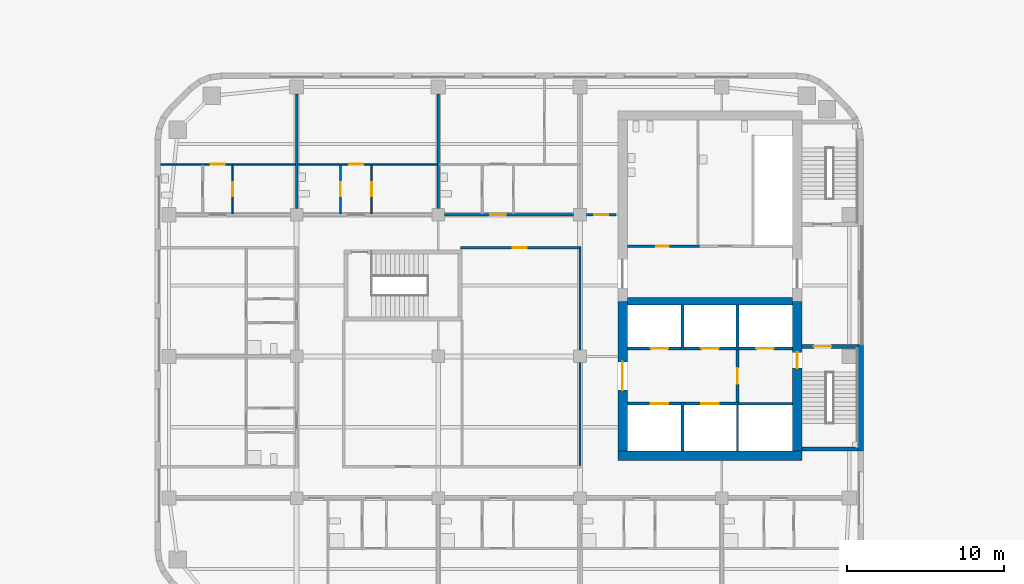
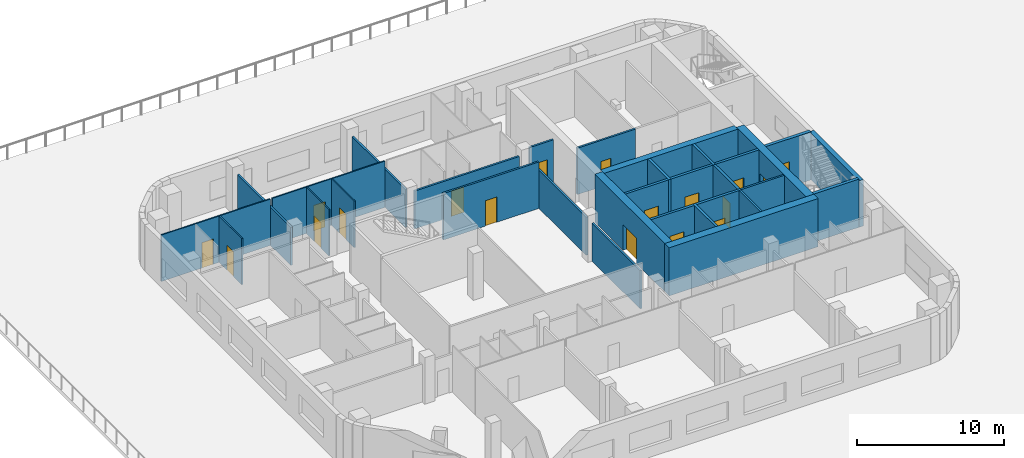
# One storey, part 7 of 18: 31 walls, 18 doors, 18 openings.
"""IFC4 building model written with IfcOpenShell, lengths in metres."""

from ifc_helpers import new_model, si_unit, direction, frame, frame_2d, origin, place, context, subcontext, project, spatial, rectangle, extrude, material, layer, layer_set, type_object, element, fill, save


model = new_model("IFC4")

# Units and contexts
model_context = context("Model", 3, precision=1e-05, world=origin(), true_north=direction((0.0, 1.0)))
body_context = subcontext(model_context, "Body", "Model", "MODEL_VIEW")
ifc_project = project(units=[si_unit("LENGTHUNIT", "METRE"), si_unit("AREAUNIT", "SQUARE_METRE"), si_unit("VOLUMEUNIT", "CUBIC_METRE"), si_unit("PLANEANGLEUNIT", "RADIAN"), si_unit("MASSUNIT", "GRAM", prefix="KILO")], contexts=[model_context])

# Site, building, storey
site_placement = place(None, origin())
site = spatial("IfcSite", under=ifc_project, at=site_placement, CompositionType="ELEMENT")
building_placement = place(site_placement, origin())
building = spatial("IfcBuilding", under=site, at=building_placement, Name="Cinnabar Reach Civic Tower", CompositionType="ELEMENT")
storey_placement = place(building_placement, frame((0.0, 0.0, 26.0)))
storey = spatial("IfcBuildingStorey", under=building, at=storey_placement, Name="L05", CompositionType="ELEMENT", Elevation=26.0)

# Walls
ifc_material_1 = material(Name="Facing brick with insulated backing", Category="masonry")
ifc_layer_1 = layer(ifc_material_1, 0.36)
ifc_layer_set_1 = layer_set([ifc_layer_1], Name="Brick pier and spandrel wall")
wall_type_1 = type_object("IfcWallType", Name="Brick pier and spandrel wall", PredefinedType="STANDARD", material=ifc_layer_set_1)
wall_1_placement = place(storey_placement, frame((-27.18, 21.0, 0.0), z_axis=(0.0, 0.0, 1.0), x_axis=(0.0, 1.0, 0.0)))
element("IfcWall", 1, at=wall_1_placement, inside=storey, type_object=wall_type_1, Name="Brick facade wall", PredefinedType="STANDARD", context=body_context, shape_type="SweptSolid", body=[
    extrude(rectangle(XDim=6.75, YDim=0.36, at=frame_2d((3.375, 0.0))), origin(), (0.0, 0.0, 1.0), 3.85),
])
ifc_material_2 = material(Name="Concrete C60", Category="concrete")
ifc_layer_2 = layer(ifc_material_2, 0.5)
ifc_layer_set_2 = layer_set([ifc_layer_2], Name="Core wall 500 EI 180")
wall_type_2 = type_object("IfcWallType", Name="Core wall 500 EI 180", PredefinedType="SOLIDWALL", material=ifc_layer_set_2)
wall_2_placement = place(storey_placement, frame((-42.0, 30.5, 0.0), z_axis=(0.0, 0.0, 1.0), x_axis=(1.0, 0.0, 0.0)))
element("IfcWall", 2, at=wall_2_placement, inside=storey, type_object=wall_type_2, Name="Core spine wall T2 L05", PredefinedType="SOLIDWALL", context=body_context, shape_type="SweptSolid", body=[
    extrude(rectangle(XDim=10.5, YDim=0.5, at=frame_2d((5.25, 0.0))), origin(), (0.0, 0.0, 1.0), 4.0),
])
ifc_material_3 = material(Name="Concrete C70", Category="concrete")
ifc_layer_3 = layer(ifc_material_3, 0.6)
ifc_layer_set_3 = layer_set([ifc_layer_3], Name="Core wall 600 EI 180")
wall_type_3 = type_object("IfcWallType", Name="Core wall 600 EI 180", PredefinedType="SOLIDWALL", material=ifc_layer_set_3)
wall_3_placement = place(storey_placement, frame((-42.6, 20.7, 0.0), z_axis=(0.0, 0.0, 1.0), x_axis=(1.0, 0.0, 0.0)))
element("IfcWall", 3, at=wall_3_placement, inside=storey, type_object=wall_type_3, Name="Core wall T2 L05 S", PredefinedType="SOLIDWALL", context=body_context, shape_type="SweptSolid", body=[
    extrude(rectangle(XDim=11.7, YDim=0.6, at=frame_2d((5.85, 0.0))), origin(), (0.0, 0.0, 1.0), 4.0),
])

# Wall, opening, door
wall_4_placement = place(storey_placement, frame((-31.2, 21.0, 0.0), z_axis=(0.0, 0.0, 1.0), x_axis=(0.0, 1.0, 0.0)))
wall_4 = element("IfcWall", 4, at=wall_4_placement, inside=storey, type_object=wall_type_3, Name="Core wall T2 L05 E", PredefinedType="SOLIDWALL", context=body_context, shape_type="SweptSolid", body=[
    extrude(rectangle(XDim=9.5, YDim=0.6, at=frame_2d((4.75, 0.0))), origin(), (0.0, 0.0, 1.0), 4.0),
])
opening_1_placement = place(wall_4_placement, frame((5.25, 0.0, 0.0)))
opening_1 = element("IfcOpeningElement", 5, at=opening_1_placement, cuts=wall_4, Name="Opening D6097", PredefinedType="OPENING", context=body_context, shape_type="SweptSolid", body=[
    extrude(rectangle(XDim=1.0, YDim=2.1, at=frame_2d((0.5, 1.05))), frame((0.0, 0.31, 0.0), z_axis=(0.0, -1.0, 0.0), x_axis=(1.0, 0.0, 0.0)), (0.0, 0.0, 1.0), 0.62),
])
ifc_material_4 = material(Name="Steel fire door", Category="steel")
door_type_1 = type_object("IfcDoorType", Name="T2 Firefighting lobby door 1000", OperationType="SINGLE_SWING_LEFT", PredefinedType="DOOR", material=ifc_material_4)
door_1_placement = place(opening_1_placement, frame((1.0, 0.0, 0.0), z_axis=(0.0, 0.0, 1.0), x_axis=(-1.0, 0.0, 0.0)))
door_1 = element("IfcDoor", 6, at=door_1_placement, inside=storey, type_object=door_type_1, Name="T2 Firefighting lobby door D6097", OperationType="SINGLE_SWING_LEFT", OverallHeight=2.1, OverallWidth=1.0, PredefinedType="DOOR", context=body_context, shape_type="SweptSolid", body=[
    extrude(rectangle(XDim=1.0, YDim=2.1, at=frame_2d((0.5, 1.05))), frame((0.0, 0.025, 0.0), z_axis=(0.0, -1.0, 0.0), x_axis=(1.0, 0.0, 0.0)), (0.0, 0.0, 1.0), 0.05),
])
fill(opening_1, door_1)

wall_5_placement = place(storey_placement, frame((-42.3, 30.5, 0.0), z_axis=(0.0, 0.0, 1.0), x_axis=(0.0, -1.0, 0.0)))
wall_5 = element("IfcWall", 7, at=wall_5_placement, inside=storey, type_object=wall_type_3, Name="Core wall T2 L05 W2", PredefinedType="SOLIDWALL", context=body_context, shape_type="SweptSolid", body=[
    extrude(rectangle(XDim=9.5, YDim=0.6, at=frame_2d((4.75, 0.0))), origin(), (0.0, 0.0, 1.0), 4.0),
])
opening_2_placement = place(wall_5_placement, frame((3.85, 0.0, 0.0)))
opening_2 = element("IfcOpeningElement", 8, at=opening_2_placement, cuts=wall_5, Name="Opening D6101", PredefinedType="OPENING", context=body_context, shape_type="SweptSolid", body=[
    extrude(rectangle(XDim=1.8, YDim=2.1, at=frame_2d((0.9, 1.05))), frame((0.0, 0.31, 0.0), z_axis=(0.0, -1.0, 0.0), x_axis=(1.0, 0.0, 0.0)), (0.0, 0.0, 1.0), 0.62),
])
door_type_2 = type_object("IfcDoorType", Name="T2 Double door 1800", OperationType="DOUBLE_DOOR_SINGLE_SWING", PredefinedType="DOOR", material=ifc_material_4)
door_2_placement = place(opening_2_placement, origin())
door_2 = element("IfcDoor", 9, at=door_2_placement, inside=storey, type_object=door_type_2, Name="T2 Double door D6101", OperationType="DOUBLE_DOOR_SINGLE_SWING", OverallHeight=2.1, OverallWidth=1.8, PredefinedType="DOOR", context=body_context, shape_type="SweptSolid", body=[
    extrude(rectangle(XDim=1.8, YDim=2.1, at=frame_2d((0.9, 1.05))), frame((0.0, 0.025, 0.0), z_axis=(0.0, -1.0, 0.0), x_axis=(1.0, 0.0, 0.0)), (0.0, 0.0, 1.0), 0.05),
])
fill(opening_2, door_2)

ifc_material_5 = material(Name="Gypsum board on steel studs, double layer", Category="steel")
ifc_layer_4 = layer(ifc_material_5, 0.15)
ifc_layer_set_4 = layer_set([ifc_layer_4], Name="Corridor wall 150 T2")
wall_type_4 = type_object("IfcWallType", Name="Corridor wall 150 T2", PredefinedType="PARTITIONING", material=ifc_layer_set_4)
wall_6_placement = place(storey_placement, frame((-44.6, 36.0, 0.0), z_axis=(0.0, 0.0, 1.0), x_axis=(1.0, 0.0, 0.0)))
wall_6 = element("IfcWall", 10, at=wall_6_placement, inside=storey, type_object=wall_type_4, Name="Corridor wall 6", PredefinedType="PARTITIONING", context=body_context, shape_type="SweptSolid", body=[
    extrude(rectangle(XDim=1.875, YDim=0.15, at=frame_2d((0.9375, 0.0))), origin(), (0.0, 0.0, 1.0), 3.602),
])
opening_3_placement = place(wall_6_placement, frame((0.5, 0.0, 0.0)))
opening_3 = element("IfcOpeningElement", 11, at=opening_3_placement, cuts=wall_6, Name="Opening D6105", PredefinedType="OPENING", context=body_context, shape_type="SweptSolid", body=[
    extrude(rectangle(XDim=0.9, YDim=2.1, at=frame_2d((0.45, 1.05))), frame((0.0, 0.085, 0.0), z_axis=(0.0, -1.0, 0.0), x_axis=(1.0, 0.0, 0.0)), (0.0, 0.0, 1.0), 0.17),
])
ifc_material_6 = material(Name="Timber door leaf in steel frame", Category="steel")
door_type_3 = type_object("IfcDoorType", Name="Single swing door 900 x 2100 T2", OperationType="SINGLE_SWING_LEFT", PredefinedType="DOOR", material=ifc_material_6)
door_3_placement = place(opening_3_placement, origin())
door_3 = element("IfcDoor", 12, at=door_3_placement, inside=storey, type_object=door_type_3, Name="Door D6105", OperationType="SINGLE_SWING_LEFT", OverallHeight=2.1, OverallWidth=0.9, PredefinedType="DOOR", context=body_context, shape_type="SweptSolid", body=[
    extrude(rectangle(XDim=0.9, YDim=2.1, at=frame_2d((0.45, 1.05))), frame((0.0, 0.025, 0.0), z_axis=(0.0, -1.0, 0.0), x_axis=(1.0, 0.0, 0.0)), (0.0, 0.0, 1.0), 0.05),
])
fill(opening_3, door_3)

wall_7_placement = place(storey_placement, frame((-53.6, 36.0, 0.0), z_axis=(0.0, 0.0, 1.0), x_axis=(1.0, 0.0, 0.0)))
wall_7 = element("IfcWall", 13, at=wall_7_placement, inside=storey, type_object=wall_type_4, Name="Corridor wall 7", PredefinedType="PARTITIONING", context=body_context, shape_type="SweptSolid", body=[
    extrude(rectangle(XDim=8.2, YDim=0.15, at=frame_2d((4.1, 0.0))), origin(), (0.0, 0.0, 1.0), 3.15),
])
opening_4_placement = place(wall_7_placement, frame((2.89, 0.0, 0.0)))
opening_4 = element("IfcOpeningElement", 14, at=opening_4_placement, cuts=wall_7, Name="Opening D6135", PredefinedType="OPENING", context=body_context, shape_type="SweptSolid", body=[
    extrude(rectangle(XDim=1.0, YDim=2.1, at=frame_2d((0.5, 1.05))), frame((0.0, 0.085, 0.0), z_axis=(0.0, -1.0, 0.0), x_axis=(1.0, 0.0, 0.0)), (0.0, 0.0, 1.0), 0.17),
])
door_type_4 = type_object("IfcDoorType", Name="Tenancy entrance door 1000 x 2100 T2", OperationType="SINGLE_SWING_LEFT", PredefinedType="DOOR", material=ifc_material_6)
door_4_placement = place(opening_4_placement, origin())
door_4 = element("IfcDoor", 15, at=door_4_placement, inside=storey, type_object=door_type_4, Name="Door D6135", OperationType="SINGLE_SWING_RIGHT", OverallHeight=2.1, OverallWidth=1.0, PredefinedType="DOOR", context=body_context, shape_type="SweptSolid", body=[
    extrude(rectangle(XDim=1.0, YDim=2.1, at=frame_2d((0.5, 1.05))), frame((0.0, 0.025, 0.0), z_axis=(0.0, -1.0, 0.0), x_axis=(1.0, 0.0, 0.0)), (0.0, 0.0, 1.0), 0.05),
])
fill(opening_4, door_4)

# Walls
wall_8_placement = place(storey_placement, frame((-45.0, 20.075, 0.0), z_axis=(0.0, 0.0, 1.0), x_axis=(0.0, 1.0, 0.0)))
element("IfcWall", 16, at=wall_8_placement, inside=storey, type_object=wall_type_4, Name="Corridor wall 13", PredefinedType="PARTITIONING", context=body_context, shape_type="SweptSolid", body=[
    extrude(rectangle(XDim=6.525, YDim=0.15, at=frame_2d((3.2625, 0.0))), origin(), (0.0, 0.0, 1.0), 3.158),
])
wall_9_placement = place(storey_placement, frame((-45.0, 27.4, 0.0), z_axis=(0.0, 0.0, 1.0), x_axis=(0.0, 1.0, 0.0)))
element("IfcWall", 17, at=wall_9_placement, inside=storey, type_object=wall_type_4, Name="Corridor wall 14", PredefinedType="PARTITIONING", context=body_context, shape_type="SweptSolid", body=[
    extrude(rectangle(XDim=6.575, YDim=0.15, at=frame_2d((3.2875, 0.0))), origin(), (0.0, 0.0, 1.0), 3.158),
])

# Wall, opening, door
wall_10_placement = place(storey_placement, frame((-52.575, 33.9, 0.0), z_axis=(0.0, 0.0, 1.0), x_axis=(1.0, 0.0, 0.0)))
wall_10 = element("IfcWall", 18, at=wall_10_placement, inside=storey, type_object=wall_type_4, Name="Corridor wall 18", PredefinedType="PARTITIONING", context=body_context, shape_type="SweptSolid", body=[
    extrude(rectangle(XDim=7.5, YDim=0.15, at=frame_2d((3.75, 0.0))), origin(), (0.0, 0.0, 1.0), 3.85),
])
opening_5_placement = place(wall_10_placement, frame((3.3, 0.0, 0.0)))
opening_5 = element("IfcOpeningElement", 19, at=opening_5_placement, cuts=wall_10, Name="Opening D6145", PredefinedType="OPENING", context=body_context, shape_type="SweptSolid", body=[
    extrude(rectangle(XDim=0.9, YDim=2.1, at=frame_2d((0.45, 1.05))), frame((0.0, 0.085, 0.0), z_axis=(0.0, -1.0, 0.0), x_axis=(1.0, 0.0, 0.0)), (0.0, 0.0, 1.0), 0.17),
])
door_5_placement = place(opening_5_placement, frame((0.9, 0.0, 0.0), z_axis=(0.0, 0.0, 1.0), x_axis=(-1.0, 0.0, 0.0)))
door_5 = element("IfcDoor", 20, at=door_5_placement, inside=storey, type_object=door_type_3, Name="Door D6145", OperationType="SINGLE_SWING_RIGHT", OverallHeight=2.1, OverallWidth=0.9, PredefinedType="DOOR", context=body_context, shape_type="SweptSolid", body=[
    extrude(rectangle(XDim=0.9, YDim=2.1, at=frame_2d((0.45, 1.05))), frame((0.0, 0.025, 0.0), z_axis=(0.0, -1.0, 0.0), x_axis=(1.0, 0.0, 0.0)), (0.0, 0.0, 1.0), 0.05),
])
fill(opening_5, door_5)

ifc_material_7 = material(Name="Gypsum board on steel studs", Category="steel")
ifc_layer_5 = layer(ifc_material_7, 0.1)
ifc_layer_set_5 = layer_set([ifc_layer_5], Name="Partition wall 100 T2")
wall_type_5 = type_object("IfcWallType", Name="Partition wall 100 T2", PredefinedType="PARTITIONING", material=ifc_layer_set_5)
wall_11_placement = place(storey_placement, frame((-62.925, 39.2, 0.0), z_axis=(0.0, 0.0, 1.0), x_axis=(1.0, 0.0, 0.0)))
wall_11 = element("IfcWall", 21, at=wall_11_placement, inside=storey, type_object=wall_type_5, Name="Partition wall 33", PredefinedType="PARTITIONING", context=body_context, shape_type="SweptSolid", body=[
    extrude(rectangle(XDim=8.85, YDim=0.1, at=frame_2d((4.425, 0.0))), origin(), (0.0, 0.0, 1.0), 3.85),
])
opening_6_placement = place(wall_11_placement, frame((3.265, 0.0, 0.0)))
opening_6 = element("IfcOpeningElement", 22, at=opening_6_placement, cuts=wall_11, Name="Opening D6129", PredefinedType="OPENING", context=body_context, shape_type="SweptSolid", body=[
    extrude(rectangle(XDim=0.9, YDim=2.1, at=frame_2d((0.45, 1.05))), frame((0.0, 0.06, 0.0), z_axis=(0.0, -1.0, 0.0), x_axis=(1.0, 0.0, 0.0)), (0.0, 0.0, 1.0), 0.12),
])
door_6_placement = place(opening_6_placement, frame((0.9, 0.0, 0.0), z_axis=(0.0, 0.0, 1.0), x_axis=(-1.0, 0.0, 0.0)))
door_6 = element("IfcDoor", 23, at=door_6_placement, inside=storey, type_object=door_type_3, Name="Door D6129", OperationType="SINGLE_SWING_LEFT", OverallHeight=2.1, OverallWidth=0.9, PredefinedType="DOOR", context=body_context, shape_type="SweptSolid", body=[
    extrude(rectangle(XDim=0.9, YDim=2.1, at=frame_2d((0.45, 1.05))), frame((0.0, 0.025, 0.0), z_axis=(0.0, -1.0, 0.0), x_axis=(1.0, 0.0, 0.0)), (0.0, 0.0, 1.0), 0.05),
])
fill(opening_6, door_6)

wall_12_placement = place(storey_placement, frame((-71.64, 39.2, 0.0), z_axis=(0.0, 0.0, 1.0), x_axis=(1.0, 0.0, 0.0)))
wall_12 = element("IfcWall", 24, at=wall_12_placement, inside=storey, type_object=wall_type_5, Name="Partition wall 34", PredefinedType="PARTITIONING", context=body_context, shape_type="SweptSolid", body=[
    extrude(rectangle(XDim=8.565, YDim=0.1, at=frame_2d((4.2825, 0.0))), origin(), (0.0, 0.0, 1.0), 3.85),
])
opening_7_placement = place(wall_12_placement, frame((3.1784, 0.0, 0.0)))
opening_7 = element("IfcOpeningElement", 25, at=opening_7_placement, cuts=wall_12, Name="Opening D6125", PredefinedType="OPENING", context=body_context, shape_type="SweptSolid", body=[
    extrude(rectangle(XDim=0.9, YDim=2.1, at=frame_2d((0.45, 1.05))), frame((0.0, 0.06, 0.0), z_axis=(0.0, -1.0, 0.0), x_axis=(1.0, 0.0, 0.0)), (0.0, 0.0, 1.0), 0.12),
])
door_7_placement = place(opening_7_placement, frame((0.9, 0.0, 0.0), z_axis=(0.0, 0.0, 1.0), x_axis=(-1.0, 0.0, 0.0)))
door_7 = element("IfcDoor", 26, at=door_7_placement, inside=storey, type_object=door_type_3, Name="Door D6125", OperationType="SINGLE_SWING_RIGHT", OverallHeight=2.1, OverallWidth=0.9, PredefinedType="DOOR", context=body_context, shape_type="SweptSolid", body=[
    extrude(rectangle(XDim=0.9, YDim=2.1, at=frame_2d((0.45, 1.05))), frame((0.0, 0.025, 0.0), z_axis=(0.0, -1.0, 0.0), x_axis=(1.0, 0.0, 0.0)), (0.0, 0.0, 1.0), 0.05),
])
fill(opening_7, door_7)

wall_13_placement = place(storey_placement, frame((-67.0608, 36.075, 0.0), z_axis=(0.0, 0.0, 1.0), x_axis=(0.0, 1.0, 0.0)))
wall_13 = element("IfcWall", 27, at=wall_13_placement, inside=storey, type_object=wall_type_5, Name="Partition wall 48", PredefinedType="PARTITIONING", context=body_context, shape_type="SweptSolid", body=[
    extrude(rectangle(XDim=3.075, YDim=0.1, at=frame_2d((1.5375, 0.0))), origin(), (0.0, 0.0, 1.0), 3.85),
])
opening_8_placement = place(wall_13_placement, frame((1.1, 0.0, 0.0)))
opening_8 = element("IfcOpeningElement", 28, at=opening_8_placement, cuts=wall_13, Name="Opening D6124", PredefinedType="OPENING", context=body_context, shape_type="SweptSolid", body=[
    extrude(rectangle(XDim=0.9, YDim=2.1, at=frame_2d((0.45, 1.05))), frame((0.0, 0.06, 0.0), z_axis=(0.0, -1.0, 0.0), x_axis=(1.0, 0.0, 0.0)), (0.0, 0.0, 1.0), 0.12),
])
door_8_placement = place(opening_8_placement, origin())
door_8 = element("IfcDoor", 29, at=door_8_placement, inside=storey, type_object=door_type_3, Name="Door D6124", OperationType="SINGLE_SWING_RIGHT", OverallHeight=2.1, OverallWidth=0.9, PredefinedType="DOOR", context=body_context, shape_type="SweptSolid", body=[
    extrude(rectangle(XDim=0.9, YDim=2.1, at=frame_2d((0.45, 1.05))), frame((0.0, 0.025, 0.0), z_axis=(0.0, -1.0, 0.0), x_axis=(1.0, 0.0, 0.0)), (0.0, 0.0, 1.0), 0.05),
])
fill(opening_8, door_8)

wall_14_placement = place(storey_placement, frame((-60.21, 36.075, 0.0), z_axis=(0.0, 0.0, 1.0), x_axis=(0.0, 1.0, 0.0)))
wall_14 = element("IfcWall", 30, at=wall_14_placement, inside=storey, type_object=wall_type_5, Name="Partition wall 49", PredefinedType="PARTITIONING", context=body_context, shape_type="SweptSolid", body=[
    extrude(rectangle(XDim=3.075, YDim=0.1, at=frame_2d((1.5375, 0.0))), origin(), (0.0, 0.0, 1.0), 3.85),
])
opening_9_placement = place(wall_14_placement, frame((1.1, 0.0, 0.0)))
opening_9 = element("IfcOpeningElement", 31, at=opening_9_placement, cuts=wall_14, Name="Opening D6127", PredefinedType="OPENING", context=body_context, shape_type="SweptSolid", body=[
    extrude(rectangle(XDim=0.9, YDim=2.1, at=frame_2d((0.45, 1.05))), frame((0.0, 0.06, 0.0), z_axis=(0.0, -1.0, 0.0), x_axis=(1.0, 0.0, 0.0)), (0.0, 0.0, 1.0), 0.12),
])
door_9_placement = place(opening_9_placement, origin())
door_9 = element("IfcDoor", 32, at=door_9_placement, inside=storey, type_object=door_type_3, Name="Door D6127", OperationType="SINGLE_SWING_RIGHT", OverallHeight=2.1, OverallWidth=0.9, PredefinedType="DOOR", context=body_context, shape_type="SweptSolid", body=[
    extrude(rectangle(XDim=0.9, YDim=2.1, at=frame_2d((0.45, 1.05))), frame((0.0, 0.025, 0.0), z_axis=(0.0, -1.0, 0.0), x_axis=(1.0, 0.0, 0.0)), (0.0, 0.0, 1.0), 0.05),
])
fill(opening_9, door_9)

wall_15_placement = place(storey_placement, frame((-58.23, 36.075, 0.0), z_axis=(0.0, 0.0, 1.0), x_axis=(0.0, 1.0, 0.0)))
wall_15 = element("IfcWall", 33, at=wall_15_placement, inside=storey, type_object=wall_type_5, Name="Partition wall 50", PredefinedType="PARTITIONING", context=body_context, shape_type="SweptSolid", body=[
    extrude(rectangle(XDim=3.075, YDim=0.1, at=frame_2d((1.5375, 0.0))), origin(), (0.0, 0.0, 1.0), 3.85),
])
opening_10_placement = place(wall_15_placement, frame((1.1, 0.0, 0.0)))
opening_10 = element("IfcOpeningElement", 34, at=opening_10_placement, cuts=wall_15, Name="Opening D6128", PredefinedType="OPENING", context=body_context, shape_type="SweptSolid", body=[
    extrude(rectangle(XDim=0.9, YDim=2.1, at=frame_2d((0.45, 1.05))), frame((0.0, 0.06, 0.0), z_axis=(0.0, -1.0, 0.0), x_axis=(1.0, 0.0, 0.0)), (0.0, 0.0, 1.0), 0.12),
])
door_10_placement = place(opening_10_placement, origin())
door_10 = element("IfcDoor", 35, at=door_10_placement, inside=storey, type_object=door_type_3, Name="Door D6128", OperationType="SINGLE_SWING_LEFT", OverallHeight=2.1, OverallWidth=0.9, PredefinedType="DOOR", context=body_context, shape_type="SweptSolid", body=[
    extrude(rectangle(XDim=0.9, YDim=2.1, at=frame_2d((0.45, 1.05))), frame((0.0, 0.025, 0.0), z_axis=(0.0, -1.0, 0.0), x_axis=(1.0, 0.0, 0.0)), (0.0, 0.0, 1.0), 0.05),
])
fill(opening_10, door_10)

# Wall
ifc_layer_6 = layer(ifc_material_2, 0.25)
ifc_layer_set_6 = layer_set([ifc_layer_6], Name="Stair shaft wall 250 EI 120")
wall_type_6 = type_object("IfcWallType", Name="Stair shaft wall 250 EI 120", PredefinedType="SOLIDWALL", material=ifc_layer_set_6)
wall_16_placement = place(storey_placement, frame((-30.9, 21.125, 0.0), z_axis=(0.0, 0.0, 1.0), x_axis=(1.0, 0.0, 0.0)))
element("IfcWall", 36, at=wall_16_placement, inside=storey, type_object=wall_type_6, Name="Stair shaft wall T2-S1 L05", PredefinedType="SOLIDWALL", context=body_context, shape_type="SweptSolid", body=[
    extrude(rectangle(XDim=3.54, YDim=0.25, at=frame_2d((1.77, 0.0))), origin(), (0.0, 0.0, 1.0), 4.0),
])

# Wall, opening, door
wall_17_placement = place(storey_placement, frame((-27.36, 27.625, 0.0), z_axis=(0.0, 0.0, 1.0), x_axis=(-1.0, 0.0, 0.0)))
wall_17 = element("IfcWall", 37, at=wall_17_placement, inside=storey, type_object=wall_type_6, Name="Stair shaft wall T2-S1 L05", PredefinedType="SOLIDWALL", context=body_context, shape_type="SweptSolid", body=[
    extrude(rectangle(XDim=3.54, YDim=0.25, at=frame_2d((1.77, 0.0))), origin(), (0.0, 0.0, 1.0), 4.0),
])
opening_11_placement = place(wall_17_placement, frame((1.69, 0.0, 0.0)))
opening_11 = element("IfcOpeningElement", 38, at=opening_11_placement, cuts=wall_17, Name="Opening D6098", PredefinedType="OPENING", context=body_context, shape_type="SweptSolid", body=[
    extrude(rectangle(XDim=1.1, YDim=2.1, at=frame_2d((0.55, 1.05))), frame((0.0, 0.135, 0.0), z_axis=(0.0, -1.0, 0.0), x_axis=(1.0, 0.0, 0.0)), (0.0, 0.0, 1.0), 0.27),
])
door_type_5 = type_object("IfcDoorType", Name="T2 Stair door 1100", OperationType="SINGLE_SWING_LEFT", PredefinedType="DOOR", material=ifc_material_4)
door_11_placement = place(opening_11_placement, origin())
door_11 = element("IfcDoor", 39, at=door_11_placement, inside=storey, type_object=door_type_5, Name="T2 Stair door D6098", OperationType="SINGLE_SWING_RIGHT", OverallHeight=2.1, OverallWidth=1.1, PredefinedType="DOOR", context=body_context, shape_type="SweptSolid", body=[
    extrude(rectangle(XDim=1.1, YDim=2.1, at=frame_2d((0.55, 1.05))), frame((0.0, 0.025, 0.0), z_axis=(0.0, -1.0, 0.0), x_axis=(1.0, 0.0, 0.0)), (0.0, 0.0, 1.0), 0.05),
])
fill(opening_11, door_11)

ifc_material_8 = material(Name="Masonry block partition", Category="masonry")
ifc_layer_7 = layer(ifc_material_8, 0.15)
ifc_layer_set_7 = layer_set([ifc_layer_7], Name="T2 Corridor wall 150")
wall_type_7 = type_object("IfcWallType", Name="T2 Corridor wall 150", PredefinedType="PARTITIONING", material=ifc_layer_set_7)
wall_18_placement = place(storey_placement, frame((-37.425, 34.0, 0.0), z_axis=(0.0, 0.0, 1.0), x_axis=(-1.0, 0.0, 0.0)))
wall_18 = element("IfcWall", 40, at=wall_18_placement, inside=storey, type_object=wall_type_7, Name="T2 Corridor wall L05 014", PredefinedType="PARTITIONING", context=body_context, shape_type="SweptSolid", body=[
    extrude(rectangle(XDim=4.575, YDim=0.15, at=frame_2d((2.2875, 0.0))), origin(), (0.0, 0.0, 1.0), 3.85),
])
opening_12_placement = place(wall_18_placement, frame((1.925, 0.0, 0.0)))
opening_12 = element("IfcOpeningElement", 41, at=opening_12_placement, cuts=wall_18, Name="Opening D6103", PredefinedType="OPENING", context=body_context, shape_type="SweptSolid", body=[
    extrude(rectangle(XDim=0.8, YDim=2.1, at=frame_2d((0.4, 1.05))), frame((0.0, 0.085, 0.0), z_axis=(0.0, -1.0, 0.0), x_axis=(1.0, 0.0, 0.0)), (0.0, 0.0, 1.0), 0.17),
])
ifc_material_9 = material(Name="Timber door leaf", Category="wood")
door_type_6 = type_object("IfcDoorType", Name="T2 Bathroom door 800", OperationType="SINGLE_SWING_LEFT", PredefinedType="DOOR", material=ifc_material_9)
door_12_placement = place(opening_12_placement, frame((0.8, 0.0, 0.0), z_axis=(0.0, 0.0, 1.0), x_axis=(-1.0, 0.0, 0.0)))
door_12 = element("IfcDoor", 42, at=door_12_placement, inside=storey, type_object=door_type_6, Name="T2 Bathroom door D6103", OperationType="SINGLE_SWING_RIGHT", OverallHeight=2.1, OverallWidth=0.8, PredefinedType="DOOR", context=body_context, shape_type="SweptSolid", body=[
    extrude(rectangle(XDim=0.8, YDim=2.1, at=frame_2d((0.4, 1.05))), frame((0.0, 0.025, 0.0), z_axis=(0.0, -1.0, 0.0), x_axis=(1.0, 0.0, 0.0)), (0.0, 0.0, 1.0), 0.05),
])
fill(opening_12, door_12)

# Walls
ifc_material_10 = material(Name="Concrete C40", Category="concrete")
ifc_layer_8 = layer(ifc_material_10, 0.15)
ifc_layer_set_8 = layer_set([ifc_layer_8], Name="T2 Riser wall 150")
wall_type_8 = type_object("IfcWallType", Name="T2 Riser wall 150", PredefinedType="SOLIDWALL", material=ifc_layer_set_8)
wall_19_placement = place(storey_placement, frame((-35.0, 21.0, 0.0), z_axis=(0.0, 0.0, 1.0), x_axis=(0.0, 1.0, 0.0)))
element("IfcWall", 43, at=wall_19_placement, inside=storey, type_object=wall_type_8, Name="T2 Riser wall L05 010", PredefinedType="SOLIDWALL", context=body_context, shape_type="SweptSolid", body=[
    extrude(rectangle(XDim=2.9, YDim=0.15, at=frame_2d((1.45, 0.0))), origin(), (0.0, 0.0, 1.0), 4.0),
])
wall_20_placement = place(storey_placement, frame((-31.5, 24.0, 0.0), z_axis=(0.0, 0.0, 1.0), x_axis=(-1.0, 0.0, 0.0)))
element("IfcWall", 44, at=wall_20_placement, inside=storey, type_object=wall_type_8, Name="T2 Riser wall L05 011", PredefinedType="SOLIDWALL", context=body_context, shape_type="SweptSolid", body=[
    extrude(rectangle(XDim=3.4, YDim=0.15, at=frame_2d((1.7, 0.0))), origin(), (0.0, 0.0, 1.0), 4.0),
])
ifc_layer_9 = layer(ifc_material_10, 0.2)
ifc_layer_set_9 = layer_set([ifc_layer_9], Name="T2 Shaft wall 200")
wall_type_9 = type_object("IfcWallType", Name="T2 Shaft wall 200", PredefinedType="SOLIDWALL", material=ifc_layer_set_9)
wall_21_placement = place(storey_placement, frame((-38.5, 21.0, 0.0), z_axis=(0.0, 0.0, 1.0), x_axis=(0.0, 1.0, 0.0)))
element("IfcWall", 45, at=wall_21_placement, inside=storey, type_object=wall_type_9, Name="T2 Shaft wall L05 001", PredefinedType="SOLIDWALL", context=body_context, shape_type="SweptSolid", body=[
    extrude(rectangle(XDim=3.1, YDim=0.2, at=frame_2d((1.55, 0.0))), origin(), (0.0, 0.0, 1.0), 4.0),
])

# Wall, opening, door
wall_22_placement = place(storey_placement, frame((-38.6, 24.0, 0.0), z_axis=(0.0, 0.0, 1.0), x_axis=(-1.0, 0.0, 0.0)))
wall_22 = element("IfcWall", 46, at=wall_22_placement, inside=storey, type_object=wall_type_9, Name="T2 Shaft wall L05 002", PredefinedType="SOLIDWALL", context=body_context, shape_type="SweptSolid", body=[
    extrude(rectangle(XDim=3.4, YDim=0.2, at=frame_2d((1.7, 0.0))), origin(), (0.0, 0.0, 1.0), 4.0),
])
opening_13_placement = place(wall_22_placement, frame((0.8, 0.0, 0.0)))
opening_13 = element("IfcOpeningElement", 47, at=opening_13_placement, cuts=wall_22, Name="Opening D6091", PredefinedType="OPENING", context=body_context, shape_type="SweptSolid", body=[
    extrude(rectangle(XDim=1.1, YDim=2.1, at=frame_2d((0.55, 1.05))), frame((0.0, 0.11, 0.0), z_axis=(0.0, -1.0, 0.0), x_axis=(1.0, 0.0, 0.0)), (0.0, 0.0, 1.0), 0.22),
])
door_type_7 = type_object("IfcDoorType", Name="T2 Lift landing door 1100", OperationType="SLIDING_TO_LEFT", PredefinedType="DOOR", material=ifc_material_4)
door_13_placement = place(opening_13_placement, origin())
door_13 = element("IfcDoor", 48, at=door_13_placement, inside=storey, type_object=door_type_7, Name="T2 Lift landing door D6091", OperationType="SLIDING_TO_LEFT", OverallHeight=2.1, OverallWidth=1.1, PredefinedType="DOOR", context=body_context, shape_type="SweptSolid", body=[
    extrude(rectangle(XDim=1.1, YDim=2.1, at=frame_2d((0.55, 1.05))), frame((0.0, 0.025, 0.0), z_axis=(0.0, -1.0, 0.0), x_axis=(1.0, 0.0, 0.0)), (0.0, 0.0, 1.0), 0.05),
])
fill(opening_13, door_13)

wall_23_placement = place(storey_placement, frame((-34.9, 24.0, 0.0), z_axis=(0.0, 0.0, 1.0), x_axis=(-1.0, 0.0, 0.0)))
wall_23 = element("IfcWall", 49, at=wall_23_placement, inside=storey, type_object=wall_type_9, Name="T2 Shaft wall L05 003", PredefinedType="SOLIDWALL", context=body_context, shape_type="SweptSolid", body=[
    extrude(rectangle(XDim=3.5, YDim=0.2, at=frame_2d((1.75, 0.0))), origin(), (0.0, 0.0, 1.0), 4.0),
])
opening_14_placement = place(wall_23_placement, frame((1.3, 0.0, 0.0)))
opening_14 = element("IfcOpeningElement", 50, at=opening_14_placement, cuts=wall_23, Name="Opening D6092", PredefinedType="OPENING", context=body_context, shape_type="SweptSolid", body=[
    extrude(rectangle(XDim=1.1, YDim=2.1, at=frame_2d((0.55, 1.05))), frame((0.0, 0.11, 0.0), z_axis=(0.0, -1.0, 0.0), x_axis=(1.0, 0.0, 0.0)), (0.0, 0.0, 1.0), 0.22),
])
door_14_placement = place(opening_14_placement, origin())
door_14 = element("IfcDoor", 51, at=door_14_placement, inside=storey, type_object=door_type_7, Name="T2 Lift landing door D6092", OperationType="SLIDING_TO_LEFT", OverallHeight=2.1, OverallWidth=1.1, PredefinedType="DOOR", context=body_context, shape_type="SweptSolid", body=[
    extrude(rectangle(XDim=1.1, YDim=2.1, at=frame_2d((0.55, 1.05))), frame((0.0, 0.025, 0.0), z_axis=(0.0, -1.0, 0.0), x_axis=(1.0, 0.0, 0.0)), (0.0, 0.0, 1.0), 0.05),
])
fill(opening_14, door_14)

# Wall
wall_24_placement = place(storey_placement, frame((-38.5, 27.4, 0.0), z_axis=(0.0, 0.0, 1.0), x_axis=(0.0, 1.0, 0.0)))
element("IfcWall", 52, at=wall_24_placement, inside=storey, type_object=wall_type_9, Name="T2 Shaft wall L05 004", PredefinedType="SOLIDWALL", context=body_context, shape_type="SweptSolid", body=[
    extrude(rectangle(XDim=2.85, YDim=0.2, at=frame_2d((1.425, 0.0))), origin(), (0.0, 0.0, 1.0), 4.0),
])

# Wall, opening, door
wall_25_placement = place(storey_placement, frame((-42.0, 27.5, 0.0), z_axis=(0.0, 0.0, 1.0), x_axis=(1.0, 0.0, 0.0)))
wall_25 = element("IfcWall", 53, at=wall_25_placement, inside=storey, type_object=wall_type_9, Name="T2 Shaft wall L05 005", PredefinedType="SOLIDWALL", context=body_context, shape_type="SweptSolid", body=[
    extrude(rectangle(XDim=3.4, YDim=0.2, at=frame_2d((1.7, 0.0))), origin(), (0.0, 0.0, 1.0), 4.0),
])
opening_15_placement = place(wall_25_placement, frame((1.5, 0.0, 0.0)))
opening_15 = element("IfcOpeningElement", 54, at=opening_15_placement, cuts=wall_25, Name="Opening D6093", PredefinedType="OPENING", context=body_context, shape_type="SweptSolid", body=[
    extrude(rectangle(XDim=1.1, YDim=2.1, at=frame_2d((0.55, 1.05))), frame((0.0, 0.11, 0.0), z_axis=(0.0, -1.0, 0.0), x_axis=(1.0, 0.0, 0.0)), (0.0, 0.0, 1.0), 0.22),
])
door_15_placement = place(opening_15_placement, origin())
door_15 = element("IfcDoor", 55, at=door_15_placement, inside=storey, type_object=door_type_7, Name="T2 Lift landing door D6093", OperationType="SLIDING_TO_LEFT", OverallHeight=2.1, OverallWidth=1.1, PredefinedType="DOOR", context=body_context, shape_type="SweptSolid", body=[
    extrude(rectangle(XDim=1.1, YDim=2.1, at=frame_2d((0.55, 1.05))), frame((0.0, 0.025, 0.0), z_axis=(0.0, -1.0, 0.0), x_axis=(1.0, 0.0, 0.0)), (0.0, 0.0, 1.0), 0.05),
])
fill(opening_15, door_15)

# Wall
wall_26_placement = place(storey_placement, frame((-35.0, 27.4, 0.0), z_axis=(0.0, 0.0, 1.0), x_axis=(0.0, 1.0, 0.0)))
element("IfcWall", 56, at=wall_26_placement, inside=storey, type_object=wall_type_9, Name="T2 Shaft wall L05 006", PredefinedType="SOLIDWALL", context=body_context, shape_type="SweptSolid", body=[
    extrude(rectangle(XDim=2.85, YDim=0.2, at=frame_2d((1.425, 0.0))), origin(), (0.0, 0.0, 1.0), 4.0),
])

# Wall, opening, door
wall_27_placement = place(storey_placement, frame((-38.4, 27.5, 0.0), z_axis=(0.0, 0.0, 1.0), x_axis=(1.0, 0.0, 0.0)))
wall_27 = element("IfcWall", 57, at=wall_27_placement, inside=storey, type_object=wall_type_9, Name="T2 Shaft wall L05 007", PredefinedType="SOLIDWALL", context=body_context, shape_type="SweptSolid", body=[
    extrude(rectangle(XDim=3.3, YDim=0.2, at=frame_2d((1.65, 0.0))), origin(), (0.0, 0.0, 1.0), 4.0),
])
opening_16_placement = place(wall_27_placement, frame((1.1, 0.0, 0.0)))
opening_16 = element("IfcOpeningElement", 58, at=opening_16_placement, cuts=wall_27, Name="Opening D6094", PredefinedType="OPENING", context=body_context, shape_type="SweptSolid", body=[
    extrude(rectangle(XDim=1.1, YDim=2.1, at=frame_2d((0.55, 1.05))), frame((0.0, 0.11, 0.0), z_axis=(0.0, -1.0, 0.0), x_axis=(1.0, 0.0, 0.0)), (0.0, 0.0, 1.0), 0.22),
])
door_16_placement = place(opening_16_placement, origin())
door_16 = element("IfcDoor", 59, at=door_16_placement, inside=storey, type_object=door_type_7, Name="T2 Lift landing door D6094", OperationType="SLIDING_TO_LEFT", OverallHeight=2.1, OverallWidth=1.1, PredefinedType="DOOR", context=body_context, shape_type="SweptSolid", body=[
    extrude(rectangle(XDim=1.1, YDim=2.1, at=frame_2d((0.55, 1.05))), frame((0.0, 0.025, 0.0), z_axis=(0.0, -1.0, 0.0), x_axis=(1.0, 0.0, 0.0)), (0.0, 0.0, 1.0), 0.05),
])
fill(opening_16, door_16)

wall_28_placement = place(storey_placement, frame((-34.9, 27.5, 0.0), z_axis=(0.0, 0.0, 1.0), x_axis=(1.0, 0.0, 0.0)))
wall_28 = element("IfcWall", 60, at=wall_28_placement, inside=storey, type_object=wall_type_9, Name="T2 Shaft wall L05 008", PredefinedType="SOLIDWALL", context=body_context, shape_type="SweptSolid", body=[
    extrude(rectangle(XDim=3.4, YDim=0.2, at=frame_2d((1.7, 0.0))), origin(), (0.0, 0.0, 1.0), 4.0),
])
opening_17_placement = place(wall_28_placement, frame((1.1, 0.0, 0.0)))
opening_17 = element("IfcOpeningElement", 61, at=opening_17_placement, cuts=wall_28, Name="Opening D6095", PredefinedType="OPENING", context=body_context, shape_type="SweptSolid", body=[
    extrude(rectangle(XDim=1.1, YDim=2.1, at=frame_2d((0.55, 1.05))), frame((0.0, 0.11, 0.0), z_axis=(0.0, -1.0, 0.0), x_axis=(1.0, 0.0, 0.0)), (0.0, 0.0, 1.0), 0.22),
])
door_type_8 = type_object("IfcDoorType", Name="T2 Firefighting lift landing door 1100", OperationType="SLIDING_TO_LEFT", PredefinedType="DOOR", material=ifc_material_4)
door_17_placement = place(opening_17_placement, origin())
door_17 = element("IfcDoor", 62, at=door_17_placement, inside=storey, type_object=door_type_8, Name="T2 Firefighting lift landing door D6095", OperationType="SLIDING_TO_LEFT", OverallHeight=2.1, OverallWidth=1.1, PredefinedType="DOOR", context=body_context, shape_type="SweptSolid", body=[
    extrude(rectangle(XDim=1.1, YDim=2.1, at=frame_2d((0.55, 1.05))), frame((0.0, 0.025, 0.0), z_axis=(0.0, -1.0, 0.0), x_axis=(1.0, 0.0, 0.0)), (0.0, 0.0, 1.0), 0.05),
])
fill(opening_17, door_17)

wall_29_placement = place(storey_placement, frame((-35.0, 24.1, 0.0), z_axis=(0.0, 0.0, 1.0), x_axis=(0.0, 1.0, 0.0)))
wall_29 = element("IfcWall", 63, at=wall_29_placement, inside=storey, type_object=wall_type_9, Name="T2 Shaft wall L05 009", PredefinedType="SOLIDWALL", context=body_context, shape_type="SweptSolid", body=[
    extrude(rectangle(XDim=3.3, YDim=0.2, at=frame_2d((1.65, 0.0))), origin(), (0.0, 0.0, 1.0), 4.0),
])
opening_18_placement = place(wall_29_placement, frame((1.15, 0.0, 0.0)))
opening_18 = element("IfcOpeningElement", 64, at=opening_18_placement, cuts=wall_29, Name="Opening D6096", PredefinedType="OPENING", context=body_context, shape_type="SweptSolid", body=[
    extrude(rectangle(XDim=1.0, YDim=2.1, at=frame_2d((0.5, 1.05))), frame((0.0, 0.11, 0.0), z_axis=(0.0, -1.0, 0.0), x_axis=(1.0, 0.0, 0.0)), (0.0, 0.0, 1.0), 0.22),
])
door_18_placement = place(opening_18_placement, origin())
door_18 = element("IfcDoor", 65, at=door_18_placement, inside=storey, type_object=door_type_1, Name="T2 Firefighting lobby door D6096", OperationType="SINGLE_SWING_RIGHT", OverallHeight=2.1, OverallWidth=1.0, PredefinedType="DOOR", context=body_context, shape_type="SweptSolid", body=[
    extrude(rectangle(XDim=1.0, YDim=2.1, at=frame_2d((0.5, 1.05))), frame((0.0, 0.025, 0.0), z_axis=(0.0, -1.0, 0.0), x_axis=(1.0, 0.0, 0.0)), (0.0, 0.0, 1.0), 0.05),
])
fill(opening_18, door_18)

# Walls
ifc_layer_10 = layer(ifc_material_5, 0.15)
ifc_layer_set_10 = layer_set([ifc_layer_10], Name="Tenancy separating wall 150 T2")
wall_type_10 = type_object("IfcWallType", Name="Tenancy separating wall 150 T2", PredefinedType="PARTITIONING", material=ifc_layer_set_10)
for number, where, z_axis, x_axis, name in (
    (66, (-63.0, 36.4, 0.0), (0.0, 0.0, 1.0), (0.0, 1.0, 0.0), "Tenancy separating wall 26"),
    (67, (-54.0, 36.4, 0.0), (0.0, 0.0, 1.0), (0.0, 1.0, 0.0), "Tenancy separating wall 27"),
):
    element("IfcWall", number, at=place(storey_placement, frame(where, z_axis=z_axis, x_axis=x_axis)), inside=storey, type_object=wall_type_10, Name=name, PredefinedType="PARTITIONING", context=body_context, shape_type="SweptSolid", body=[
        extrude(rectangle(XDim=7.25, YDim=0.15, at=frame_2d((3.625, 0.0))), origin(), (0.0, 0.0, 1.0), 3.158),
    ])

save(model, "model.ifc")
